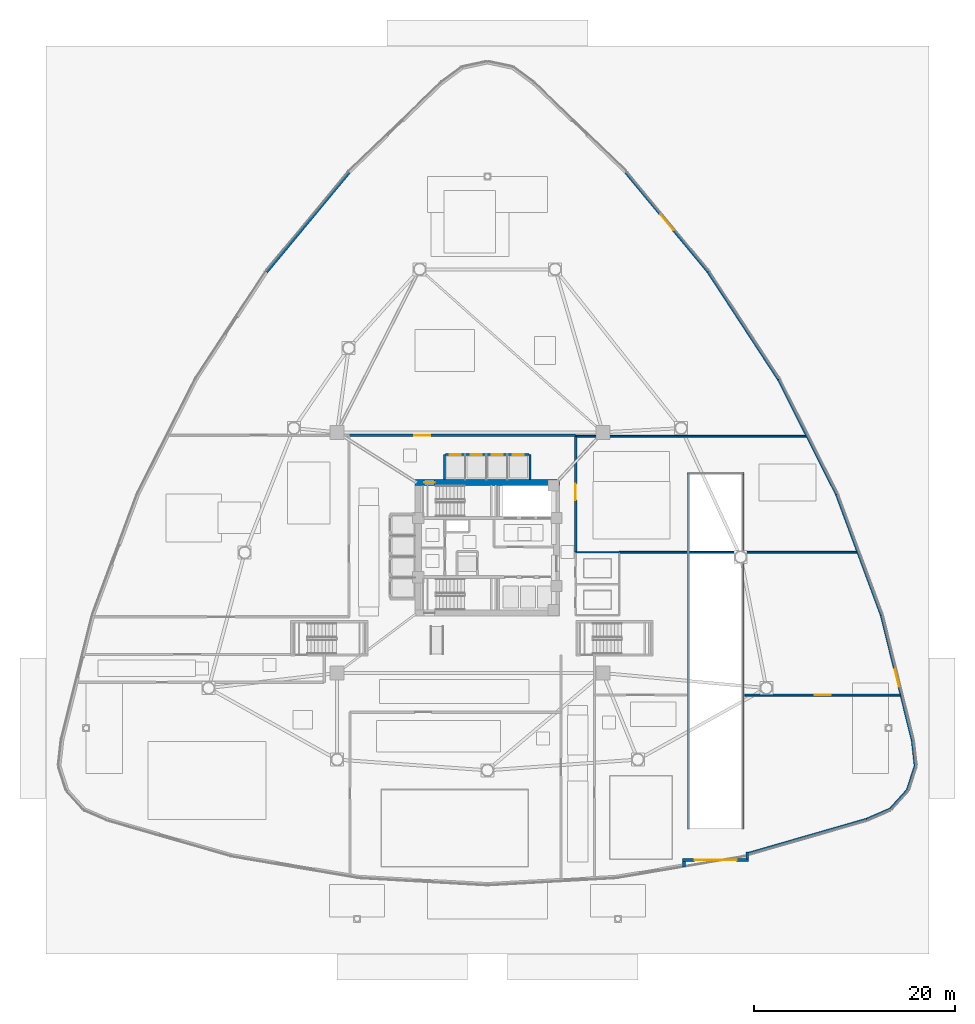
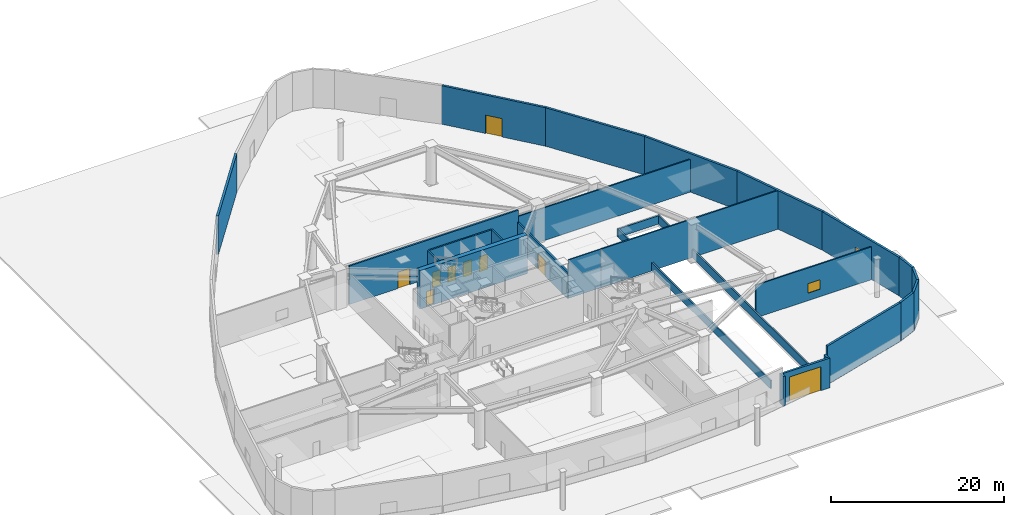
# One storey, part 7 of 13: 27 walls, 9 doors, 2 windows, 11 openings.
"""IFC4 building model written with IfcOpenShell, lengths in metres."""

from ifc_helpers import new_model, si_unit, direction, frame, frame_2d, origin, place, context, subcontext, project, spatial, rectangle, extrude, material, layer, layer_set, type_object, element, fill, save


model = new_model("IFC4")

# Units and contexts
model_context = context("Model", 3, precision=1e-05, world=origin(), true_north=direction((0.0, 1.0)))
body_context = subcontext(model_context, "Body", "Model", "MODEL_VIEW")
ifc_project = project(units=[si_unit("LENGTHUNIT", "METRE"), si_unit("AREAUNIT", "SQUARE_METRE"), si_unit("VOLUMEUNIT", "CUBIC_METRE"), si_unit("PLANEANGLEUNIT", "RADIAN"), si_unit("MASSUNIT", "GRAM", prefix="KILO")], contexts=[model_context])

# Site, building, storey
site_placement = place(None, origin())
site = spatial("IfcSite", under=ifc_project, at=site_placement, CompositionType="ELEMENT")
building_placement = place(site_placement, origin())
building = spatial("IfcBuilding", under=site, at=building_placement, Name="Tavelor Broadcast Tower", CompositionType="ELEMENT")
storey_placement = place(building_placement, origin())
storey = spatial("IfcBuildingStorey", under=building, at=storey_placement, Name="L00", CompositionType="ELEMENT", Elevation=0.0)

# Wall, opening, door
ifc_material_1 = material(Name="Concrete C60/75", Category="concrete")
ifc_layer_1 = layer(ifc_material_1, 0.60009765625)
ifc_layer_set_1 = layer_set([ifc_layer_1], Name="Concrete C60/75")
wall_type_1 = type_object("IfcWallType", Name="Core Shear Wall 600 mm", PredefinedType="SHEAR", material=ifc_layer_set_1)
wall_1_placement = place(storey_placement, frame((42.800048828125, 51.5, 0.0), z_axis=(0.0, 0.0, 1.0), x_axis=(1.0, 0.0, 0.0)))
wall_1 = element("IfcWall", 1, at=wall_1_placement, inside=storey, type_object=wall_type_1, Name="L00 Central Core Shear Wall N", PredefinedType="SHEAR", context=body_context, shape_type="SweptSolid", body=[
    extrude(rectangle(XDim=14.39990234375, YDim=0.60009765625, at=frame_2d((7.199951171875, 0.0))), origin(), (0.0, 0.0, 1.0), 5.449951171875),
])
opening_1_placement = place(wall_1_placement, frame((0.8798828125, 0.0, 0.0)))
opening_1 = element("IfcOpeningElement", 2, at=opening_1_placement, cuts=wall_1, Name="Opening DR11", PredefinedType="OPENING", context=body_context, shape_type="SweptSolid", body=[
    extrude(rectangle(XDim=1.050048828125, YDim=2.199951171875, at=frame_2d((0.52490234375, 1.10009765625))), frame((0.0, 0.31005859375, 0.0), z_axis=(0.0, -1.0, 0.0), x_axis=(1.0, 0.0, 0.0)), (0.0, 0.0, 1.0), 0.6201171875),
])
ifc_material_2 = material(Name="Steel S355", Category="steel")
door_type_1 = type_object("IfcDoorType", Name="Stair Core Fire Escape Door 1050x2200", OperationType="NOTDEFINED", PredefinedType="DOOR", material=ifc_material_2)
door_1_placement = place(opening_1_placement, origin())
door_1 = element("IfcDoor", 3, at=door_1_placement, inside=storey, type_object=door_type_1, Name="L00 Stair ST1 Protected Exit Door", OperationType="SINGLE_SWING_LEFT", OverallHeight=2.199951171875, OverallWidth=1.050048828125, PredefinedType="DOOR", context=body_context, shape_type="SweptSolid", body=[
    extrude(rectangle(XDim=1.050048828125, YDim=2.199951171875, at=frame_2d((0.52490234375, 1.10009765625))), frame((0.0, 0.02490234375, 0.0), z_axis=(0.0, -1.0, 0.0), x_axis=(1.0, 0.0, 0.0)), (0.0, 0.0, 1.0), 0.050048828125),
])
fill(opening_1, door_1)

# Wall, opening, window
ifc_material_3 = material(Name="Calcium Silicate Fire Board 180 mm", Category="gypsum")
ifc_layer_2 = layer(ifc_material_3, 0.179931640625)
ifc_layer_set_2 = layer_set([ifc_layer_2], Name="Calcium Silicate Fire Board 180 mm")
wall_type_2 = type_object("IfcWallType", Name="Fire-Rated Corridor Partition Wall 180 mm", PredefinedType="PARTITIONING", material=ifc_layer_set_2)
wall_2_placement = place(storey_placement, frame((75.64990234375, 30.300048828125, 0.0), z_axis=(0.0, 0.0, 1.0), x_axis=(1.0, 0.0, 0.0)))
wall_2 = element("IfcWall", 4, at=wall_2_placement, inside=storey, type_object=wall_type_2, Name="L00 South-East Wing North Wall", PredefinedType="PARTITIONING", context=body_context, shape_type="SweptSolid", body=[
    extrude(rectangle(XDim=15.565185546875, YDim=0.179931640625, at=frame_2d((7.78271484375, 0.0))), origin(), (0.0, 0.0, 1.0), 4.625),
])
opening_2_placement = place(wall_2_placement, frame((6.982666015625, 0.0, 1.050048828125)))
opening_2 = element("IfcOpeningElement", 5, at=opening_2_placement, cuts=wall_2, Name="Opening WN05", PredefinedType="OPENING", context=body_context, shape_type="SweptSolid", body=[
    extrude(rectangle(XDim=1.60009765625, YDim=1.35009765625, at=frame_2d((0.800048828125, 0.675048828125))), frame((0.0, 0.10009765625, 0.0), z_axis=(0.0, -1.0, 0.0), x_axis=(1.0, 0.0, 0.0)), (0.0, 0.0, 1.0), 0.199951171875),
])
ifc_material_4 = material(Name="Acoustic Double Glazing 28 mm", Category="glass")
window_type_1 = type_object("IfcWindowType", Name="Audio Booth Acoustic Observation Window 1600x1350", PartitioningType="SINGLE_PANEL", PredefinedType="WINDOW", material=ifc_material_4)
window_1_placement = place(opening_2_placement, origin())
window_1 = element("IfcWindow", 6, at=window_1_placement, inside=storey, type_object=window_type_1, Name="L00 Studio Acoustic Observation Window 004", OverallHeight=1.35009765625, OverallWidth=1.60009765625, PartitioningType="SINGLE_PANEL", PredefinedType="WINDOW", context=body_context, shape_type="SweptSolid", body=[
    extrude(rectangle(XDim=1.60009765625, YDim=1.35009765625, at=frame_2d((0.800048828125, 0.675048828125))), frame((0.0, 0.030029296875, 0.0), z_axis=(0.0, -1.0, 0.0), x_axis=(1.0, 0.0, 0.0)), (0.0, 0.0, 1.0), 0.06005859375),
])
fill(opening_2, window_1)

# Walls
wall_3_placement = place(storey_placement, frame((58.800048828125, 56.10009765625, 0.0), z_axis=(0.0, 0.0, 1.0), x_axis=(1.0, 0.0, 0.0)))
element("IfcWall", 7, at=wall_3_placement, inside=storey, type_object=wall_type_2, Name="L00 East Room North Wall", PredefinedType="PARTITIONING", context=body_context, shape_type="SweptSolid", body=[
    extrude(rectangle(XDim=23.045166015625, YDim=0.179931640625, at=frame_2d((11.5224609375, 0.0))), origin(), (0.0, 0.0, 1.0), 4.625),
])
wall_4_placement = place(storey_placement, frame((63.14990234375, 44.550048828125, 0.0), z_axis=(0.0, 0.0, 1.0), x_axis=(1.0, 0.0, 0.0)))
element("IfcWall", 8, at=wall_4_placement, inside=storey, type_object=wall_type_2, Name="L00 East Room South Wall", PredefinedType="PARTITIONING", context=body_context, shape_type="SweptSolid", body=[
    extrude(rectangle(XDim=23.758056640625, YDim=0.179931640625, at=frame_2d((11.87890625, 0.0))), origin(), (0.0, 0.0, 1.0), 5.449951171875),
])

# Wall, opening, door
ifc_material_5 = material(Name="Precast Concrete C40/50", Category="concrete")
ifc_layer_3 = layer(ifc_material_5, 0.280029296875)
ifc_layer_set_3 = layer_set([ifc_layer_3], Name="Precast Concrete C40/50")
wall_type_3 = type_object("IfcWallType", Name="Insulated Precast Terracotta Facade Wall 280 mm", PredefinedType="STANDARD", material=ifc_layer_set_3)
wall_5_placement = place(storey_placement, frame((69.4599609375, 13.85009765625, 0.0), z_axis=(0.0, 0.0, 1.0), x_axis=(1.0, 0.0, 0.0)))
wall_5 = element("IfcWall", 9, at=wall_5_placement, inside=storey, type_object=wall_type_3, Name="L00 Car Park Ramp Security Portal Wall", PredefinedType="STANDARD", context=body_context, shape_type="SweptSolid", body=[
    extrude(rectangle(XDim=6.580078125, YDim=0.280029296875, at=frame_2d((3.2900390625, 0.0))), origin(), (0.0, 0.0, 1.0), 4.199951171875),
])
opening_3_placement = place(wall_5_placement, frame((1.18994140625, 0.0, 0.0)))
opening_3 = element("IfcOpeningElement", 10, at=opening_3_placement, cuts=wall_5, Name="Opening DR58", PredefinedType="OPENING", context=body_context, shape_type="SweptSolid", body=[
    extrude(rectangle(XDim=4.199951171875, YDim=3.39990234375, at=frame_2d((2.10009765625, 1.699951171875))), frame((0.0, 0.14990234375, 0.0), z_axis=(0.0, -1.0, 0.0), x_axis=(1.0, 0.0, 0.0)), (0.0, 0.0, 1.0), 0.300048828125),
])
door_type_2 = type_object("IfcDoorType", Name="Vehicle Ramp Automated Security Gate 4200x3400", OperationType="NOTDEFINED", PredefinedType="GATE", material=ifc_material_2)
door_2_placement = place(opening_3_placement, origin())
door_2 = element("IfcDoor", 11, at=door_2_placement, inside=storey, type_object=door_type_2, Name="L00 Vehicle Ramp Automated Security Gate", OperationType="SLIDING_TO_LEFT", OverallHeight=3.39990234375, OverallWidth=4.199951171875, PredefinedType="GATE", context=body_context, shape_type="SweptSolid", body=[
    extrude(rectangle(XDim=4.199951171875, YDim=3.39990234375, at=frame_2d((2.10009765625, 1.699951171875))), frame((0.0, 0.02490234375, 0.0), z_axis=(0.0, -1.0, 0.0), x_axis=(1.0, 0.0, 0.0)), (0.0, 0.0, 1.0), 0.050048828125),
])
fill(opening_3, door_2)

# Walls
wall_6_placement = place(storey_placement, frame((69.60009765625, 13.169677734375, 0.0), z_axis=(0.0, 0.0, 1.0), x_axis=(0.0, 1.0, 0.0)))
element("IfcWall", 12, at=wall_6_placement, inside=storey, type_object=wall_type_3, Name="L00 Car Park Ramp Portal Return Wall W", PredefinedType="STANDARD", context=body_context, shape_type="SweptSolid", body=[
    extrude(rectangle(XDim=0.555419921875, YDim=0.280029296875, at=frame_2d((0.27783203125, 0.0))), origin(), (0.0, 0.0, 1.0), 4.199951171875),
])
wall_7_placement = place(storey_placement, frame((75.89990234375, 13.97509765625, 0.0), z_axis=(0.0, 0.0, 1.0), x_axis=(0.0, 1.0, 0.0)))
element("IfcWall", 13, at=wall_7_placement, inside=storey, type_object=wall_type_3, Name="L00 Car Park Ramp Portal Return Wall E", PredefinedType="STANDARD", context=body_context, shape_type="SweptSolid", body=[
    extrude(rectangle(XDim=0.67578125, YDim=0.280029296875, at=frame_2d((0.337890625, 0.0))), origin(), (0.0, 0.0, 1.0), 4.199951171875),
])
wall_8_placement = place(storey_placement, frame((36.202392578125, 82.39990234375, 0.0), z_axis=(0.0, 0.0, 1.0), x_axis=(-0.638069608031, -0.769978684969, 0.0)))
element("IfcWall", 14, at=wall_8_placement, inside=storey, type_object=wall_type_3, Name="L00 Precast Terracotta Facade Wall 06", PredefinedType="STANDARD", context=body_context, shape_type="SweptSolid", body=[
    extrude(rectangle(XDim=12.868896484375, YDim=0.280029296875, at=frame_2d((6.4345703125, 0.0))), origin(), (0.0, 0.0, 1.0), 5.449951171875),
])
wall_9_placement = place(storey_placement, frame((76.06201171875, 14.517578125, 0.0), z_axis=(0.0, 0.0, 1.0), x_axis=(0.960874844068, 0.276982912898, 0.0)))
element("IfcWall", 15, at=wall_9_placement, inside=storey, type_object=wall_type_3, Name="L00 Precast Terracotta Facade Wall 20", PredefinedType="STANDARD", context=body_context, shape_type="SweptSolid", body=[
    extrude(rectangle(XDim=12.2421875, YDim=0.280029296875, at=frame_2d((6.12109375, 0.0))), origin(), (0.0, 0.0, 1.0), 5.449951171875),
])
wall_10_placement = place(storey_placement, frame((87.797119140625, 17.898193359375, 0.0), z_axis=(0.0, 0.0, 1.0), x_axis=(0.91666510017, 0.399656219933, 0.0)))
element("IfcWall", 16, at=wall_10_placement, inside=storey, type_object=wall_type_3, Name="L00 Precast Terracotta Facade Wall 21", PredefinedType="STANDARD", context=body_context, shape_type="SweptSolid", body=[
    extrude(rectangle(XDim=2.6005859375, YDim=0.280029296875, at=frame_2d((1.30029296875, 0.0))), origin(), (0.0, 0.0, 1.0), 5.449951171875),
])
wall_11_placement = place(storey_placement, frame((90.1572265625, 18.92041015625, 0.0), z_axis=(0.0, 0.0, 1.0), x_axis=(0.671069446412, 0.741394495591, 0.0)))
element("IfcWall", 17, at=wall_11_placement, inside=storey, type_object=wall_type_3, Name="L00 Precast Terracotta Facade Wall 22", PredefinedType="STANDARD", context=body_context, shape_type="SweptSolid", body=[
    extrude(rectangle(XDim=2.579345703125, YDim=0.280029296875, at=frame_2d((1.28955078125, 0.0))), origin(), (0.0, 0.0, 1.0), 5.449951171875),
])
wall_12_placement = place(storey_placement, frame((91.87353515625, 20.807373046875, 0.0), z_axis=(0.0, 0.0, 1.0), x_axis=(0.306557527808, 0.9518521325, 0.0)))
element("IfcWall", 18, at=wall_12_placement, inside=storey, type_object=wall_type_3, Name="L00 Precast Terracotta Facade Wall 23", PredefinedType="STANDARD", context=body_context, shape_type="SweptSolid", body=[
    extrude(rectangle(XDim=2.57958984375, YDim=0.280029296875, at=frame_2d((1.289794921875, 0.0))), origin(), (0.0, 0.0, 1.0), 5.449951171875),
])
wall_13_placement = place(storey_placement, frame((92.661376953125, 23.2333984375, 0.0), z_axis=(0.0, 0.0, 1.0), x_axis=(-0.112368346336, 0.993666621529, 0.0)))
element("IfcWall", 19, at=wall_13_placement, inside=storey, type_object=wall_type_3, Name="L00 Precast Terracotta Facade Wall 24", PredefinedType="STANDARD", context=body_context, shape_type="SweptSolid", body=[
    extrude(rectangle(XDim=2.6005859375, YDim=0.280029296875, at=frame_2d((1.30029296875, 0.0))), origin(), (0.0, 0.0, 1.0), 5.449951171875),
])

# Wall, opening, window
wall_14_placement = place(storey_placement, frame((92.37451171875, 25.7880859375, 0.0), z_axis=(0.0, 0.0, 1.0), x_axis=(-0.240566335087, 0.970632700058, 0.0)))
wall_14 = element("IfcWall", 20, at=wall_14_placement, inside=storey, type_object=wall_type_3, Name="L00 Precast Terracotta Facade Wall 25", PredefinedType="STANDARD", context=body_context, shape_type="SweptSolid", body=[
    extrude(rectangle(XDim=12.867431640625, YDim=0.280029296875, at=frame_2d((6.43359375, 0.0))), origin(), (0.0, 0.0, 1.0), 5.449951171875),
])
opening_4_placement = place(wall_14_placement, frame((5.53369140625, 0.0, 1.0)))
opening_4 = element("IfcOpeningElement", 21, at=opening_4_placement, cuts=wall_14, Name="Opening WN11", PredefinedType="OPENING", context=body_context, shape_type="SweptSolid", body=[
    extrude(rectangle(XDim=1.800048828125, YDim=2.199951171875, at=frame_2d((0.89990234375, 1.10009765625))), frame((0.0, 0.14990234375, 0.0), z_axis=(0.0, -1.0, 0.0), x_axis=(1.0, 0.0, 0.0)), (0.0, 0.0, 1.0), 0.300048828125),
])
window_type_2 = type_object("IfcWindowType", Name="Podium Studio Acoustic Punched Window 1800x2200", PartitioningType="SINGLE_PANEL", PredefinedType="WINDOW", material=ifc_material_4)
window_2_placement = place(opening_4_placement, origin())
window_2 = element("IfcWindow", 22, at=window_2_placement, inside=storey, type_object=window_type_2, Name="L00 Broadcast Facade Window 25", OverallHeight=2.199951171875, OverallWidth=1.800048828125, PartitioningType="SINGLE_PANEL", PredefinedType="WINDOW", context=body_context, shape_type="SweptSolid", body=[
    extrude(rectangle(XDim=1.800048828125, YDim=2.199951171875, at=frame_2d((0.89990234375, 1.10009765625))), frame((0.0, 0.030029296875, 0.0), z_axis=(0.0, -1.0, 0.0), x_axis=(1.0, 0.0, 0.0)), (0.0, 0.0, 1.0), 0.06005859375),
])
fill(opening_4, window_2)

# Walls
for number, where, z_axis, x_axis, name in (
    (23, (89.287841796875, 38.2490234375, 0.0), (0.0, 0.0, 1.0), (-0.347769703633, 0.937579987646, 0.0), "L00 Precast Terracotta Facade Wall 26"),
    (24, (84.82421875, 50.287109375, 0.0), (0.0, 0.0, 1.0), (-0.450617681831, 0.892717035136, 0.0), "L00 Precast Terracotta Facade Wall 27"),
):
    element("IfcWall", number, at=place(storey_placement, frame(where, z_axis=z_axis, x_axis=x_axis)), inside=storey, type_object=wall_type_3, Name=name, PredefinedType="STANDARD", context=body_context, shape_type="SweptSolid", body=[
        extrude(rectangle(XDim=12.86865234375, YDim=0.280029296875, at=frame_2d((6.434326171875, 0.0))), origin(), (0.0, 0.0, 1.0), 5.449951171875),
    ])
wall_15_placement = place(storey_placement, frame((79.040283203125, 61.7490234375, 0.0), z_axis=(0.0, 0.0, 1.0), x_axis=(-0.547781357046, 0.836621530247, 0.0)))
element("IfcWall", 25, at=wall_15_placement, inside=storey, type_object=wall_type_3, Name="L00 Precast Terracotta Facade Wall 28", PredefinedType="STANDARD", context=body_context, shape_type="SweptSolid", body=[
    extrude(rectangle(XDim=12.868896484375, YDim=0.280029296875, at=frame_2d((6.4345703125, 0.0))), origin(), (0.0, 0.0, 1.0), 5.449951171875),
])

# Wall, opening, door
wall_16_placement = place(storey_placement, frame((72.0087890625, 72.4912109375, 0.0), z_axis=(0.0, 0.0, 1.0), x_axis=(-0.638069608031, 0.769978684969, 0.0)))
wall_16 = element("IfcWall", 26, at=wall_16_placement, inside=storey, type_object=wall_type_3, Name="L00 Precast Terracotta Facade Wall 29", PredefinedType="STANDARD", context=body_context, shape_type="SweptSolid", body=[
    extrude(rectangle(XDim=12.868896484375, YDim=0.280029296875, at=frame_2d((6.4345703125, 0.0))), origin(), (0.0, 0.0, 1.0), 5.449951171875),
])
opening_5_placement = place(wall_16_placement, frame((5.434326171875, 0.0, 0.0)))
opening_5 = element("IfcOpeningElement", 27, at=opening_5_placement, cuts=wall_16, Name="Opening DR47", PredefinedType="OPENING", context=body_context, shape_type="SweptSolid", body=[
    extrude(rectangle(XDim=2.0, YDim=2.60009765625, at=frame_2d((1.0, 1.300048828125))), frame((0.0, 0.14990234375, 0.0), z_axis=(0.0, -1.0, 0.0), x_axis=(1.0, 0.0, 0.0)), (0.0, 0.0, 1.0), 0.300048828125),
])
ifc_material_6 = material(Name="Architectural Anodized Aluminium", Category="aluminium")
door_type_3 = type_object("IfcDoorType", Name="Main Plaza Entrance Double Exit Door 2000x2600", OperationType="NOTDEFINED", PredefinedType="DOOR", material=ifc_material_6)
door_3_placement = place(opening_5_placement, frame((2.0, 0.0, 0.0), z_axis=(0.0, 0.0, 1.0), x_axis=(-1.0, 0.0, 0.0)))
door_3 = element("IfcDoor", 28, at=door_3_placement, inside=storey, type_object=door_type_3, Name="L00 Main Plaza Final Exit Double Door 29", OperationType="DOUBLE_DOOR_SINGLE_SWING", OverallHeight=2.60009765625, OverallWidth=2.0, PredefinedType="DOOR", context=body_context, shape_type="SweptSolid", body=[
    extrude(rectangle(XDim=2.0, YDim=2.60009765625, at=frame_2d((1.0, 1.300048828125))), frame((0.0, 0.02490234375, 0.0), z_axis=(0.0, -1.0, 0.0), x_axis=(1.0, 0.0, 0.0)), (0.0, 0.0, 1.0), 0.050048828125),
])
fill(opening_5, door_3)

# Wall, openings, doors
ifc_material_7 = material(Name="Concrete Blockwork 200 mm", Category="masonry")
ifc_layer_4 = layer(ifc_material_7, 0.199951171875)
ifc_layer_set_4 = layer_set([ifc_layer_4], Name="Concrete Blockwork 200 mm")
wall_type_4 = type_object("IfcWallType", Name="Lift Hoistway Rated Front Wall 200 mm", PredefinedType="PARTITIONING", material=ifc_layer_set_4)
wall_17_placement = place(storey_placement, frame((45.820068359375, 54.300048828125, 0.0), z_axis=(0.0, 0.0, 1.0), x_axis=(1.0, 0.0, 0.0)))
wall_17 = element("IfcWall", 29, at=wall_17_placement, inside=storey, type_object=wall_type_4, Name="L00 High-Rise Lift Hoistway Front Wall", PredefinedType="PARTITIONING", context=body_context, shape_type="SweptSolid", body=[
    extrude(rectangle(XDim=8.309814453125, YDim=0.199951171875, at=frame_2d((4.15478515625, 0.0))), origin(), (0.0, 0.0, 1.0), 5.449951171875),
])
opening_6_placement = place(wall_17_placement, frame((0.405029296875, 0.0, 0.0)))
opening_6 = element("IfcOpeningElement", 30, at=opening_6_placement, cuts=wall_17, Name="Opening LD01", PredefinedType="OPENING", context=body_context, shape_type="SweptSolid", body=[
    extrude(rectangle(XDim=1.10009765625, YDim=2.14990234375, at=frame_2d((0.550048828125, 1.074951171875))), frame((0.0, 0.10986328125, 0.0), z_axis=(0.0, -1.0, 0.0), x_axis=(1.0, 0.0, 0.0)), (0.0, 0.0, 1.0), 0.219970703125),
])
opening_7_placement = place(wall_17_placement, frame((2.5048828125, 0.0, 0.0)))
opening_7 = element("IfcOpeningElement", 31, at=opening_7_placement, cuts=wall_17, Name="Opening LD01", PredefinedType="OPENING", context=body_context, shape_type="SweptSolid", body=[
    extrude(rectangle(XDim=1.10009765625, YDim=2.14990234375, at=frame_2d((0.550048828125, 1.074951171875))), frame((0.0, 0.10986328125, 0.0), z_axis=(0.0, -1.0, 0.0), x_axis=(1.0, 0.0, 0.0)), (0.0, 0.0, 1.0), 0.219970703125),
])
opening_8_placement = place(wall_17_placement, frame((4.60498046875, 0.0, 0.0)))
opening_8 = element("IfcOpeningElement", 32, at=opening_8_placement, cuts=wall_17, Name="Opening LD01", PredefinedType="OPENING", context=body_context, shape_type="SweptSolid", body=[
    extrude(rectangle(XDim=1.10009765625, YDim=2.14990234375, at=frame_2d((0.550048828125, 1.074951171875))), frame((0.0, 0.10986328125, 0.0), z_axis=(0.0, -1.0, 0.0), x_axis=(1.0, 0.0, 0.0)), (0.0, 0.0, 1.0), 0.219970703125),
])
opening_9_placement = place(wall_17_placement, frame((6.705078125, 0.0, 0.0)))
opening_9 = element("IfcOpeningElement", 33, at=opening_9_placement, cuts=wall_17, Name="Opening LD01", PredefinedType="OPENING", context=body_context, shape_type="SweptSolid", body=[
    extrude(rectangle(XDim=1.10009765625, YDim=2.14990234375, at=frame_2d((0.550048828125, 1.074951171875))), frame((0.0, 0.10986328125, 0.0), z_axis=(0.0, -1.0, 0.0), x_axis=(1.0, 0.0, 0.0)), (0.0, 0.0, 1.0), 0.219970703125),
])
ifc_material_8 = material(Name="Brushed Stainless Steel", Category="steel")
door_type_4 = type_object("IfcDoorType", Name="Passenger Lift Sliding Landing Door 1100x2150", OperationType="NOTDEFINED", PredefinedType="DOOR", material=ifc_material_8)
door_4_placement = place(opening_6_placement, origin())
door_4 = element("IfcDoor", 34, at=door_4_placement, inside=storey, type_object=door_type_4, Name="L00 Lift PLH1 Sliding Landing Door", OperationType="SLIDING_TO_LEFT", OverallHeight=2.14990234375, OverallWidth=1.10009765625, PredefinedType="DOOR", context=body_context, shape_type="SweptSolid", body=[
    extrude(rectangle(XDim=1.10009765625, YDim=2.14990234375, at=frame_2d((0.550048828125, 1.074951171875))), frame((0.0, 0.02490234375, 0.0), z_axis=(0.0, -1.0, 0.0), x_axis=(1.0, 0.0, 0.0)), (0.0, 0.0, 1.0), 0.050048828125),
])
fill(opening_6, door_4)
door_5_placement = place(opening_7_placement, origin())
door_5 = element("IfcDoor", 35, at=door_5_placement, inside=storey, type_object=door_type_4, Name="L00 Lift PLH2 Sliding Landing Door", OperationType="SLIDING_TO_RIGHT", OverallHeight=2.14990234375, OverallWidth=1.10009765625, PredefinedType="DOOR", context=body_context, shape_type="SweptSolid", body=[
    extrude(rectangle(XDim=1.10009765625, YDim=2.14990234375, at=frame_2d((0.550048828125, 1.074951171875))), frame((0.0, 0.02490234375, 0.0), z_axis=(0.0, -1.0, 0.0), x_axis=(1.0, 0.0, 0.0)), (0.0, 0.0, 1.0), 0.050048828125),
])
fill(opening_7, door_5)
door_6_placement = place(opening_8_placement, origin())
door_6 = element("IfcDoor", 36, at=door_6_placement, inside=storey, type_object=door_type_4, Name="L00 Lift PLH3 Sliding Landing Door", OperationType="SLIDING_TO_LEFT", OverallHeight=2.14990234375, OverallWidth=1.10009765625, PredefinedType="DOOR", context=body_context, shape_type="SweptSolid", body=[
    extrude(rectangle(XDim=1.10009765625, YDim=2.14990234375, at=frame_2d((0.550048828125, 1.074951171875))), frame((0.0, 0.02490234375, 0.0), z_axis=(0.0, -1.0, 0.0), x_axis=(1.0, 0.0, 0.0)), (0.0, 0.0, 1.0), 0.050048828125),
])
fill(opening_8, door_6)
door_7_placement = place(opening_9_placement, origin())
door_7 = element("IfcDoor", 37, at=door_7_placement, inside=storey, type_object=door_type_4, Name="L00 Lift PLH4 Sliding Landing Door", OperationType="SLIDING_TO_RIGHT", OverallHeight=2.14990234375, OverallWidth=1.10009765625, PredefinedType="DOOR", context=body_context, shape_type="SweptSolid", body=[
    extrude(rectangle(XDim=1.10009765625, YDim=2.14990234375, at=frame_2d((0.550048828125, 1.074951171875))), frame((0.0, 0.02490234375, 0.0), z_axis=(0.0, -1.0, 0.0), x_axis=(1.0, 0.0, 0.0)), (0.0, 0.0, 1.0), 0.050048828125),
])
fill(opening_9, door_7)

# Walls
wall_18_placement = place(storey_placement, frame((70.0400390625, 16.949951171875, 0.0), z_axis=(0.0, 0.0, 1.0), x_axis=(0.0, 1.0, 0.0)))
element("IfcWall", 38, at=wall_18_placement, inside=storey, type_object=wall_type_4, Name="L00 Vehicle Ramp Well West Guard Wall", PredefinedType="PARTITIONING", context=body_context, shape_type="SweptSolid", body=[
    extrude(rectangle(XDim=35.469970703125, YDim=0.199951171875, at=frame_2d((17.73486328125, 0.0))), origin(), (0.0, 0.0, 1.0), 1.179931640625),
])
wall_19_placement = place(storey_placement, frame((69.93994140625, 52.3798828125, 0.0), z_axis=(0.0, 0.0, 1.0), x_axis=(1.0, 0.0, 0.0)))
element("IfcWall", 39, at=wall_19_placement, inside=storey, type_object=wall_type_4, Name="L00 Vehicle Ramp Well North Guard Wall", PredefinedType="PARTITIONING", context=body_context, shape_type="SweptSolid", body=[
    extrude(rectangle(XDim=5.6201171875, YDim=0.199951171875, at=frame_2d((2.81005859375, 0.0))), origin(), (0.0, 0.0, 1.0), 1.179931640625),
])
wall_20_placement = place(storey_placement, frame((75.4599609375, 16.949951171875, 0.0), z_axis=(0.0, 0.0, 1.0), x_axis=(0.0, 1.0, 0.0)))
element("IfcWall", 40, at=wall_20_placement, inside=storey, type_object=wall_type_4, Name="L00 Vehicle Ramp Well East Guard Wall", PredefinedType="PARTITIONING", context=body_context, shape_type="SweptSolid", body=[
    extrude(rectangle(XDim=35.469970703125, YDim=0.199951171875, at=frame_2d((17.73486328125, 0.0))), origin(), (0.0, 0.0, 1.0), 1.179931640625),
])
ifc_layer_5 = layer(ifc_material_7, 0.199951171875)
ifc_layer_set_5 = layer_set([ifc_layer_5], Name="Concrete Blockwork 200 mm")
wall_type_5 = type_object("IfcWallType", Name="Lift and Riser Shaft Enclosure Wall 200 mm", PredefinedType="PARTITIONING", material=ifc_layer_set_5)
for number, where, z_axis, x_axis, name in (
    (41, (45.699951171875, 51.800048828125, 0.0), (0.0, 0.0, 1.0), (0.0, 1.0, 0.0), "L00 High-Rise Lift Shaft West Wall"),
    (42, (54.25, 51.800048828125, 0.0), (0.0, 0.0, 1.0), (0.0, 1.0, 0.0), "L00 High-Rise Lift Shaft East Wall"),
):
    element("IfcWall", number, at=place(storey_placement, frame(where, z_axis=z_axis, x_axis=x_axis)), inside=storey, type_object=wall_type_5, Name=name, PredefinedType="PARTITIONING", context=body_context, shape_type="SweptSolid", body=[
        extrude(rectangle(XDim=2.5, YDim=0.199951171875, at=frame_2d((1.25, 0.0))), origin(), (0.0, 0.0, 1.0), 5.449951171875),
    ])
ifc_material_9 = material(Name="Moisture-Resistant Plasterboard 120 mm", Category="gypsum")
ifc_layer_6 = layer(ifc_material_9, 0.1201171875)
ifc_layer_set_6 = layer_set([ifc_layer_6], Name="Moisture-Resistant Plasterboard 120 mm")
wall_type_6 = type_object("IfcWallType", Name="Moisture-Resistant Wet-Room Partition 120 mm", PredefinedType="PARTITIONING", material=ifc_layer_set_6)
wall_21_placement = place(storey_placement, frame((58.800048828125, 44.550048828125, 0.0), z_axis=(0.0, 0.0, 1.0), x_axis=(1.0, 0.0, 0.0)))
element("IfcWall", 43, at=wall_21_placement, inside=storey, type_object=wall_type_6, Name="L00 Podium WC North Wall", PredefinedType="PARTITIONING", context=body_context, shape_type="SweptSolid", body=[
    extrude(rectangle(XDim=4.349853515625, YDim=0.1201171875, at=frame_2d((2.1748046875, 0.0))), origin(), (0.0, 0.0, 1.0), 5.449951171875),
])

# Wall, opening, door
ifc_material_10 = material(Name="Masonry Blockwork 220 mm", Category="masonry")
ifc_layer_7 = layer(ifc_material_10, 0.219970703125)
ifc_layer_set_7 = layer_set([ifc_layer_7], Name="Masonry Blockwork 220 mm")
wall_type_7 = type_object("IfcWallType", Name="Studio Double-Leaf Acoustic Isolation Wall 220 mm", PredefinedType="PARTITIONING", material=ifc_layer_set_7)
wall_22_placement = place(storey_placement, frame((36.199951171875, 56.199951171875, 0.0), z_axis=(0.0, 0.0, 1.0), x_axis=(1.0, 0.0, 0.0)))
wall_22 = element("IfcWall", 44, at=wall_22_placement, inside=storey, type_object=wall_type_7, Name="L00 North Hall Concourse Wall", PredefinedType="PARTITIONING", context=body_context, shape_type="SweptSolid", body=[
    extrude(rectangle(XDim=22.60009765625, YDim=0.219970703125, at=frame_2d((11.300048828125, 0.0))), origin(), (0.0, 0.0, 1.0), 5.449951171875),
])
opening_10_placement = place(wall_22_placement, frame((6.5, 0.0, 0.0)))
opening_10 = element("IfcOpeningElement", 45, at=opening_10_placement, cuts=wall_22, Name="Opening DR27", PredefinedType="OPENING", context=body_context, shape_type="SweptSolid", body=[
    extrude(rectangle(XDim=1.60009765625, YDim=2.300048828125, at=frame_2d((0.800048828125, 1.14990234375))), frame((0.0, 0.1201171875, 0.0), z_axis=(0.0, -1.0, 0.0), x_axis=(1.0, 0.0, 0.0)), (0.0, 0.0, 1.0), 0.239990234375),
])
ifc_material_11 = material(Name="Steel Acoustic Composite", Category="steel")
door_type_5 = type_object("IfcDoorType", Name="Studio Acoustic Sound-Lock Double Door 1600x2300", OperationType="NOTDEFINED", PredefinedType="DOOR", material=ifc_material_11)
door_8_placement = place(opening_10_placement, origin())
door_8 = element("IfcDoor", 46, at=door_8_placement, inside=storey, type_object=door_type_5, Name="L00 Exhibition Foyer Door", OperationType="SINGLE_SWING_RIGHT", OverallHeight=2.300048828125, OverallWidth=1.60009765625, PredefinedType="DOOR", context=body_context, shape_type="SweptSolid", body=[
    extrude(rectangle(XDim=1.60009765625, YDim=2.300048828125, at=frame_2d((0.800048828125, 1.14990234375))), frame((0.0, 0.02490234375, 0.0), z_axis=(0.0, -1.0, 0.0), x_axis=(1.0, 0.0, 0.0)), (0.0, 0.0, 1.0), 0.050048828125),
])
fill(opening_10, door_8)

wall_23_placement = place(storey_placement, frame((58.800048828125, 44.550048828125, 0.0), z_axis=(0.0, 0.0, 1.0), x_axis=(0.0, 1.0, 0.0)))
wall_23 = element("IfcWall", 47, at=wall_23_placement, inside=storey, type_object=wall_type_7, Name="L00 Fire Command Centre Concourse Wall", PredefinedType="PARTITIONING", context=body_context, shape_type="SweptSolid", body=[
    extrude(rectangle(XDim=11.550048828125, YDim=0.219970703125, at=frame_2d((5.77490234375, 0.0))), origin(), (0.0, 0.0, 1.0), 3.77490234375),
])
opening_11_placement = place(wall_23_placement, frame((5.199951171875, 0.0, 0.0)))
opening_11 = element("IfcOpeningElement", 48, at=opening_11_placement, cuts=wall_23, Name="Opening DR27", PredefinedType="OPENING", context=body_context, shape_type="SweptSolid", body=[
    extrude(rectangle(XDim=1.60009765625, YDim=2.300048828125, at=frame_2d((0.800048828125, 1.14990234375))), frame((0.0, 0.1201171875, 0.0), z_axis=(0.0, -1.0, 0.0), x_axis=(1.0, 0.0, 0.0)), (0.0, 0.0, 1.0), 0.239990234375),
])
door_9_placement = place(opening_11_placement, origin())
door_9 = element("IfcDoor", 49, at=door_9_placement, inside=storey, type_object=door_type_5, Name="L00 Fire Command Centre Acoustic Door", OperationType="DOUBLE_DOOR_SINGLE_SWING", OverallHeight=2.300048828125, OverallWidth=1.60009765625, PredefinedType="DOOR", context=body_context, shape_type="SweptSolid", body=[
    extrude(rectangle(XDim=1.60009765625, YDim=2.300048828125, at=frame_2d((0.800048828125, 1.14990234375))), frame((0.0, 0.02490234375, 0.0), z_axis=(0.0, -1.0, 0.0), x_axis=(1.0, 0.0, 0.0)), (0.0, 0.0, 1.0), 0.050048828125),
])
fill(opening_11, door_9)

save(model, "model.ifc")
